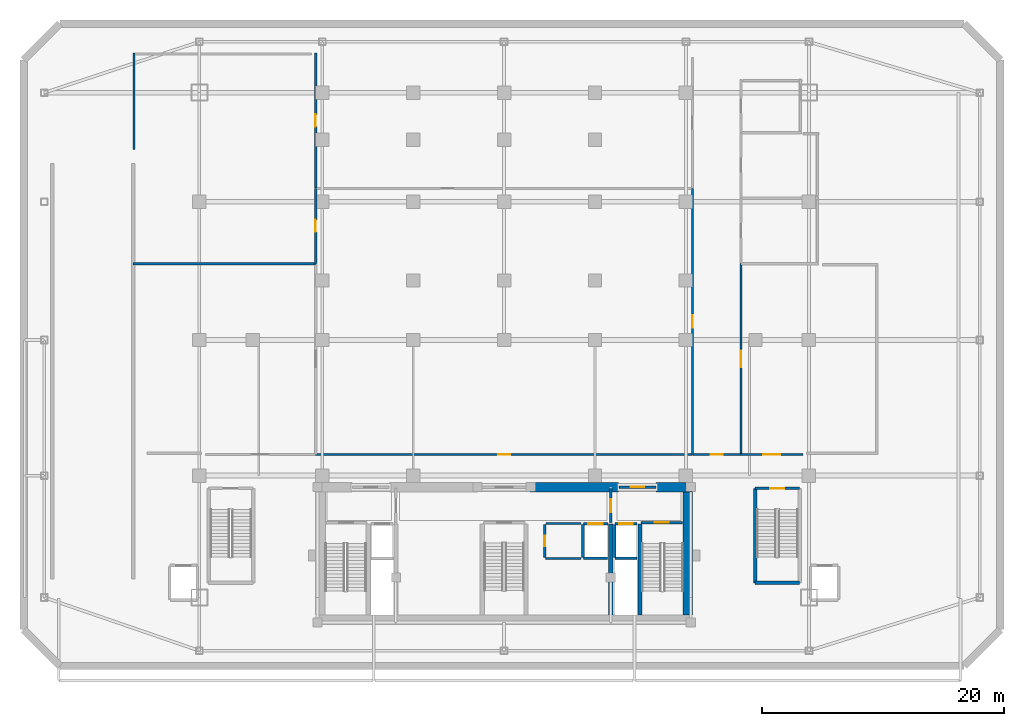
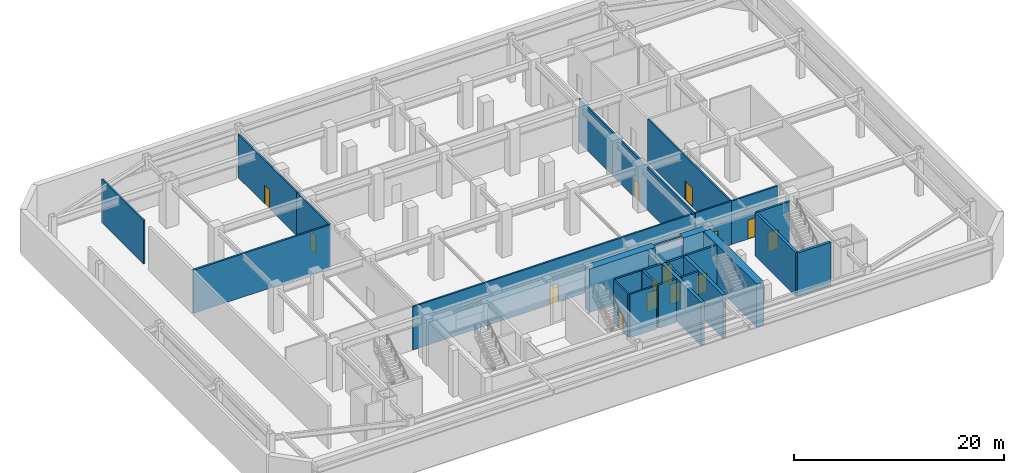
# One storey, part 5 of 9: 29 walls, 14 doors, 14 openings.
"""IFC4 building model written with IfcOpenShell, lengths in metres."""

import ifcopenshell
import ifcopenshell.guid

model = None  # the IFC model being written
_history = None  # IfcOwnerHistory: only IFC2X3 demands one
_inside = {}  # id of a spatial element -> (the spatial element, [elements in it])
_under = {}  # id of a project, library or spatial element -> (it, [spatial elements below it])
_declared = {}  # id of a project -> (the project, [libraries it declares])
_typed = {}  # id of a type object -> (the type object, [elements of that type])
_made_of = {}  # id of a material, layer set ... -> (it, [elements and type objects made of it])


def new_model(schema):
    """Start an empty IFC model of exactly this schema.

    Asked for "IFC4X3", IfcOpenShell would pick the latest addendum, in which some entities
    have other attributes; the version numbers below select the first issue.
    IFC2X3 requires an IfcOwnerHistory on every rooted entity: one is made here for all.
    """
    global model, _history
    if schema == "IFC4X3":
        model = ifcopenshell.file(schema_version=(4, 3, 0, 0))
    else:
        model = ifcopenshell.file(schema=schema)
    _inside.clear()
    _under.clear()
    _declared.clear()
    _typed.clear()
    _made_of.clear()
    _history = None
    if model.schema == "IFC2X3":
        org = make("IfcOrganization", Name="unknown")
        user = make(
            "IfcPersonAndOrganization",
            ThePerson=make("IfcPerson", FamilyName="unknown"),
            TheOrganization=org,
        )
        app = make(
            "IfcApplication",
            ApplicationDeveloper=org,
            Version="unknown",
            ApplicationFullName="unknown",
            ApplicationIdentifier="unknown",
        )
        _history = make(
            "IfcOwnerHistory",
            OwningUser=user,
            OwningApplication=app,
            ChangeAction="ADDED",
            CreationDate=0,
        )
    return model


def make(cls, **values):
    """One entity of the class cls with the attributes given. An attribute that is None is left unset."""
    return model.create_entity(
        cls, **{name: value for name, value in values.items() if value is not None}
    )


def rooted(cls, **values):
    """An entity with a GlobalId (a new one), such as an element, a storey or a relation."""
    return make(cls, GlobalId=ifcopenshell.guid.new(), OwnerHistory=_history, **values)


def si_unit(unit_type, name, prefix=None):
    """IfcSIUnit, for example si_unit("LENGTHUNIT", "METRE", prefix="MILLI")."""
    return make("IfcSIUnit", UnitType=unit_type, Prefix=prefix, Name=name)


def assignment(units):
    """IfcUnitAssignment: the units of a project."""
    return None if units is None else make("IfcUnitAssignment", Units=units)


def point(xyz):
    """IfcCartesianPoint."""
    return None if xyz is None else make("IfcCartesianPoint", Coordinates=xyz)


def direction(xyz):
    """IfcDirection."""
    return None if xyz is None else make("IfcDirection", DirectionRatios=xyz)


def frame(location, z_axis=None, x_axis=None):
    """IfcAxis2Placement3D, a coordinate frame: its origin and axes. An axis left out is left unset."""
    return make(
        "IfcAxis2Placement3D",
        Location=point(location),
        Axis=direction(z_axis),
        RefDirection=direction(x_axis),
    )


def frame_2d(location, x_axis=None):
    """IfcAxis2Placement2D, a coordinate frame in the plane: its origin and x axis."""
    return make(
        "IfcAxis2Placement2D", Location=point(location), RefDirection=direction(x_axis)
    )


def origin():
    """The frame at (0, 0, 0) with its axes left unset."""
    return frame((0.0, 0.0, 0.0))


def place(relative_to, where):
    """IfcLocalPlacement: puts the frame where relative to a parent placement (None: the world)."""
    return make(
        "IfcLocalPlacement", PlacementRelTo=relative_to, RelativePlacement=where
    )


def context(
    kind, dimensions, precision=None, world=None, true_north=None, identifier=None
):
    """IfcGeometricRepresentationContext, for example the 3D "Model" context."""
    return make(
        "IfcGeometricRepresentationContext",
        ContextIdentifier=identifier,
        ContextType=kind,
        CoordinateSpaceDimension=dimensions,
        Precision=precision,
        WorldCoordinateSystem=world,
        TrueNorth=true_north,
    )


def subcontext(parent, identifier, kind, view, scale=None):
    """IfcGeometricRepresentationSubContext, for example "Body" below "Model"."""
    return make(
        "IfcGeometricRepresentationSubContext",
        ContextIdentifier=identifier,
        ContextType=kind,
        ParentContext=parent,
        TargetScale=scale,
        TargetView=view,
    )


def project(units=None, contexts=None):
    """IfcProject with its units and contexts."""
    return rooted(
        "IfcProject",
        Name="project",
        RepresentationContexts=contexts,
        UnitsInContext=assignment(units),
    )


def spatial(cls, under=None, at=None, **own):
    """A site, building, storey or space (cls), placed at a placement, below another one or the project."""
    s = rooted(cls, ObjectPlacement=at, **own)
    if under is not None:
        _under.setdefault(under.id(), (under, []))[1].append(s)
    return s


def profile(cls, at=None, kind="AREA", **sizes):
    """A parametric profile (cls). Its sizes go by their IFC names, for example OverallWidth=200.0."""
    return make(cls, ProfileType=kind, Position=at, **sizes)


def rectangle(**sizes):
    """IfcRectangleProfileDef."""
    return profile("IfcRectangleProfileDef", **sizes)


def extrude(swept, where, along, depth):
    """IfcExtrudedAreaSolid: the profile swept, set in the frame where, extruded along a direction by depth."""
    return make(
        "IfcExtrudedAreaSolid",
        SweptArea=swept,
        Position=where,
        ExtrudedDirection=direction(along),
        Depth=depth,
    )


def shape(context_of_items, identifier, shape_type, items):
    """IfcShapeRepresentation: the items that make up one representation, for example the "Body"."""
    return make(
        "IfcShapeRepresentation",
        ContextOfItems=context_of_items,
        RepresentationIdentifier=identifier,
        RepresentationType=shape_type,
        Items=items,
    )


def material(Name=None, Category=None):
    """IfcMaterial."""
    return make("IfcMaterial", Name=Name, Category=Category)


def layer(
    of_material, thickness, ventilated=None, Name=None, Category=None, Priority=None
):
    """IfcMaterialLayer: one layer of a wall or slab, of a material (None: an air gap)."""
    return make(
        "IfcMaterialLayer",
        Material=of_material,
        LayerThickness=thickness,
        IsVentilated=ventilated,
        Name=Name,
        Category=Category,
        Priority=Priority,
    )


def layer_set(layers, Name=None):
    """IfcMaterialLayerSet."""
    return make("IfcMaterialLayerSet", MaterialLayers=layers, LayerSetName=Name)


def made_of(thing, what):
    """Note that an element or type object is made of a material, layer set ...; save() writes the relation."""
    if what is not None:
        _made_of.setdefault(what.id(), (what, []))[1].append(thing)
    return thing


def type_object(cls, material=None, **own):
    """A type object (cls), such as IfcWallType, which elements share."""
    return made_of(rooted(cls, **own), material)


def element(
    cls,
    number,
    at=None,
    inside=None,
    cuts=None,
    type_object=None,
    material=None,
    context=None,
    identifier="Body",
    shape_type=None,
    held_by="IfcProductDefinitionShape",
    body=None,
    shapes=None,
    **own,
):
    """One element of the class cls, such as IfcWall. Its Tag is "e" and its number.

    at: its placement. inside: the storey or other place that contains it. cuts: it is an
    opening in that element (IfcRelVoidsElement). A single representation is given by context,
    identifier, shape_type and body (its items); several are given by shapes. held_by: the class
    of the entity that holds the representations. save() writes the other relations.
    """
    e = rooted(cls, Tag="e%d" % number, ObjectPlacement=at, **own)
    if body is not None:
        shapes = [shape(context, identifier, shape_type, body)]
    if shapes is not None:
        e.Representation = make(held_by, Representations=shapes)
    if inside is not None:
        _inside.setdefault(inside.id(), (inside, []))[1].append(e)
    if cuts is not None:
        rooted(
            "IfcRelVoidsElement", RelatingBuildingElement=cuts, RelatedOpeningElement=e
        )
    if type_object is not None:
        _typed.setdefault(type_object.id(), (type_object, []))[1].append(e)
    return made_of(e, material)


def fill(opening, filler):
    """IfcRelFillsElement: the door or window that sits in an opening."""
    return rooted(
        "IfcRelFillsElement",
        RelatingOpeningElement=opening,
        RelatedBuildingElement=filler,
    )


def aggregate(whole, parts):
    """IfcRelAggregates: a whole, such as a stair, and the parts it consists of."""
    return rooted("IfcRelAggregates", RelatingObject=whole, RelatedObjects=parts)


def save(model, path):
    """Write the relations noted so far, then the file.

    IfcRelAggregates (storeys below a building ...), IfcRelContainedInSpatialStructure (elements
    in a storey), IfcRelDefinesByType, IfcRelAssociatesMaterial and IfcRelDeclares: one each for
    every whole, place, type object, material and project.
    """
    for whole, parts in _under.values():
        aggregate(whole, parts)
    for where, things in _inside.values():
        rooted(
            "IfcRelContainedInSpatialStructure",
            RelatedElements=things,
            RelatingStructure=where,
        )
    for kind, things in _typed.values():
        rooted("IfcRelDefinesByType", RelatedObjects=things, RelatingType=kind)
    for what, things in _made_of.values():
        rooted("IfcRelAssociatesMaterial", RelatedObjects=things, RelatingMaterial=what)
    for by, libraries in _declared.values():
        rooted("IfcRelDeclares", RelatingContext=by, RelatedDefinitions=libraries)
    model.write(path)


model = new_model("IFC4")

# Units and contexts
model_context = context("Model", 3, precision=1e-05, world=origin(), true_north=direction((0.0, 1.0)))
body_context = subcontext(model_context, "Body", "Model", "MODEL_VIEW")
ifc_project = project(units=[si_unit("LENGTHUNIT", "METRE"), si_unit("AREAUNIT", "SQUARE_METRE"), si_unit("VOLUMEUNIT", "CUBIC_METRE"), si_unit("PLANEANGLEUNIT", "RADIAN"), si_unit("MASSUNIT", "GRAM", prefix="KILO")], contexts=[model_context])

# Site, building, storey
site_placement = place(None, origin())
site = spatial("IfcSite", under=ifc_project, at=site_placement, CompositionType="ELEMENT")
building_placement = place(site_placement, origin())
building = spatial("IfcBuilding", under=site, at=building_placement, Name="Ventersveld Concourse Tower", CompositionType="ELEMENT")
storey_placement = place(building_placement, frame((0.0, 0.0, -5.39990234375)))
storey = spatial("IfcBuildingStorey", under=building, at=storey_placement, Name="B01", CompositionType="ELEMENT", Elevation=-5.39990234375)

# Walls
ifc_material_1 = material(Name="Concrete C60/75", Category="concrete")
ifc_layer_1 = layer(ifc_material_1, 0.35009765625)
ifc_layer_set_1 = layer_set([ifc_layer_1], Name="Concrete C60/75")
wall_type_1 = type_object("IfcWallType", Name="WL-CORE-350L", PredefinedType="SHEAR", material=ifc_layer_set_1)
for number, where, z_axis, x_axis, name in (
    (1, (37.550048828125, 0.919921875, 0.0), (0.0, 0.0, 1.0), (0.0, 1.0, 0.0), "B01 Core Internal Shear Web W-SVL-W"),
    (2, (39.9599609375, 0.919921875, 0.0), (0.0, 0.0, 1.0), (0.0, 1.0, 0.0), "B01 Core Internal Shear Web W-ST2-W"),
):
    element("IfcWall", number, at=place(storey_placement, frame(where, z_axis=z_axis, x_axis=x_axis)), inside=storey, type_object=wall_type_1, Name=name, PredefinedType="SHEAR", context=body_context, shape_type="SweptSolid", body=[
        extrude(rectangle(XDim=7.5, YDim=0.35009765625, at=frame_2d((3.75, 0.0))), origin(), (0.0, 0.0, 1.0), 5.0498046875),
    ])
ifc_layer_2 = layer(ifc_material_1, 0.800048828125)
ifc_layer_set_2 = layer_set([ifc_layer_2], Name="Concrete C60/75")
wall_type_2 = type_object("IfcWallType", Name="WL-CORE-800", PredefinedType="SHEAR", material=ifc_layer_set_2)
wall_1_placement = place(storey_placement, frame((43.89990234375, 0.919921875, 0.0), z_axis=(0.0, 0.0, 1.0), x_axis=(0.0, 1.0, 0.0)))
element("IfcWall", 3, at=wall_1_placement, inside=storey, type_object=wall_type_2, Name="B01 Rear Core East Shear Wall", PredefinedType="SHEAR", context=body_context, shape_type="SweptSolid", body=[
    extrude(rectangle(XDim=10.530029296875, YDim=0.800048828125, at=frame_2d((5.26513671875, 0.0))), origin(), (0.0, 0.0, 1.0), 5.0498046875),
])
wall_2_placement = place(storey_placement, frame((30.89990234375, 11.449951171875, 0.0), z_axis=(0.0, 0.0, 1.0), x_axis=(1.0, 0.0, 0.0)))
element("IfcWall", 4, at=wall_2_placement, inside=storey, type_object=wall_type_2, Name="B01 Rear Core North Shear Wall NMR", PredefinedType="SHEAR", context=body_context, shape_type="SweptSolid", body=[
    extrude(rectangle(XDim=7.300048828125, YDim=0.800048828125, at=frame_2d((3.64990234375, 0.0))), origin(), (0.0, 0.0, 1.0), 5.0498046875),
])
wall_3_placement = place(storey_placement, frame((41.300048828125, 11.449951171875, 0.0), z_axis=(0.0, 0.0, 1.0), x_axis=(1.0, 0.0, 0.0)))
element("IfcWall", 5, at=wall_3_placement, inside=storey, type_object=wall_type_2, Name="B01 Rear Core North Shear Wall NE", PredefinedType="SHEAR", context=body_context, shape_type="SweptSolid", body=[
    extrude(rectangle(XDim=2.949951171875, YDim=0.800048828125, at=frame_2d((1.47509765625, 0.0))), origin(), (0.0, 0.0, 1.0), 5.0498046875),
])

# Wall, opening, door
ifc_material_2 = material(Name="Fire-rated autoclaved aerated masonry blockwork", Category="masonry")
ifc_layer_3 = layer(ifc_material_2, 0.179931640625)
ifc_layer_set_3 = layer_set([ifc_layer_3], Name="Fire-rated autoclaved aerated masonry blockwork")
wall_type_3 = type_object("IfcWallType", Name="WL-CORR-180", PredefinedType="PARTITIONING", material=ifc_layer_set_3)
wall_4_placement = place(storey_placement, frame((32.10009765625, 5.64990234375, 0.0), z_axis=(0.0, 0.0, 1.0), x_axis=(0.0, 1.0, 0.0)))
wall_4 = element("IfcWall", 6, at=wall_4_placement, inside=storey, type_object=wall_type_3, Name="B01 Core Passage Wall SP-B01-CBAY1", PredefinedType="PARTITIONING", context=body_context, shape_type="SweptSolid", body=[
    extrude(rectangle(XDim=2.72998046875, YDim=0.179931640625, at=frame_2d((1.364990234375, 0.0))), origin(), (0.0, 0.0, 1.0), 5.0498046875),
])
opening_1_placement = place(wall_4_placement, frame((0.925048828125, 0.0, 0.0)))
opening_1 = element("IfcOpeningElement", 7, at=opening_1_placement, cuts=wall_4, Name="Opening FD5", PredefinedType="OPENING", context=body_context, shape_type="SweptSolid", body=[
    extrude(rectangle(XDim=0.8798828125, YDim=2.050048828125, at=frame_2d((0.43994140625, 1.02490234375))), frame((0.0, 0.10009765625, 0.0), z_axis=(0.0, -1.0, 0.0), x_axis=(1.0, 0.0, 0.0)), (0.0, 0.0, 1.0), 0.199951171875),
])
ifc_material_3 = material(Name="Galvanised painted steel", Category="steel")
door_type_1 = type_object("IfcDoorType", Name="DR-RISER-088", OperationType="NOTDEFINED", PredefinedType="DOOR", material=ifc_material_3)
door_1_placement = place(opening_1_placement, origin())
door_1 = element("IfcDoor", 8, at=door_1_placement, inside=storey, type_object=door_type_1, Name="B01 Core Room Door B01 Core Housekeeping Linen Store (CD-B01-0034)", OperationType="SINGLE_SWING_LEFT", OverallHeight=2.050048828125, OverallWidth=0.8798828125, PredefinedType="DOOR", context=body_context, shape_type="SweptSolid", body=[
    extrude(rectangle(XDim=0.8798828125, YDim=2.050048828125, at=frame_2d((0.43994140625, 1.02490234375))), frame((0.0, 0.02490234375, 0.0), z_axis=(0.0, -1.0, 0.0), x_axis=(1.0, 0.0, 0.0)), (0.0, 0.0, 1.0), 0.050048828125),
])
fill(opening_1, door_1)

# Walls
wall_5_placement = place(storey_placement, frame((32.219970703125, 8.4599609375, 0.0), z_axis=(0.0, 0.0, 1.0), x_axis=(1.0, 0.0, 0.0)))
element("IfcWall", 9, at=wall_5_placement, inside=storey, type_object=wall_type_3, Name="B01 Core Top Wall SP-B01-CBAY1", PredefinedType="PARTITIONING", context=body_context, shape_type="SweptSolid", body=[
    extrude(rectangle(XDim=2.880126953125, YDim=0.179931640625, at=frame_2d((1.43994140625, 0.0))), origin(), (0.0, 0.0, 1.0), 5.0498046875),
])
wall_6_placement = place(storey_placement, frame((32.179931640625, 5.570068359375, 0.0), z_axis=(0.0, 0.0, 1.0), x_axis=(1.0, 0.0, 0.0)))
element("IfcWall", 10, at=wall_6_placement, inside=storey, type_object=wall_type_3, Name="B01 Core Bot Wall SP-B01-CBAY1", PredefinedType="PARTITIONING", context=body_context, shape_type="SweptSolid", body=[
    extrude(rectangle(XDim=2.920166015625, YDim=0.179931640625, at=frame_2d((1.4599609375, 0.0))), origin(), (0.0, 0.0, 1.0), 5.0498046875),
])

# Wall, opening, door
wall_7_placement = place(storey_placement, frame((13.205078125, 14.14990234375, 0.0), z_axis=(0.0, 0.0, 1.0), x_axis=(1.0, 0.0, 0.0)))
wall_7 = element("IfcWall", 11, at=wall_7_placement, inside=storey, type_object=wall_type_3, Name="B01 Interior Partition SP-B01-ECOR-SP-B01-FARE", PredefinedType="PARTITIONING", context=body_context, shape_type="SweptSolid", body=[
    extrude(rectangle(XDim=31.08984375, YDim=0.179931640625, at=frame_2d((15.544921875, 0.0))), origin(), (0.0, 0.0, 1.0), 5.0498046875),
])
opening_2_placement = place(wall_7_placement, frame((15.044921875, 0.0, 0.0)))
opening_2 = element("IfcOpeningElement", 12, at=opening_2_placement, cuts=wall_7, Name="Opening FD3", PredefinedType="OPENING", context=body_context, shape_type="SweptSolid", body=[
    extrude(rectangle(XDim=1.0, YDim=2.14990234375, at=frame_2d((0.5, 1.074951171875))), frame((0.0, 0.10009765625, 0.0), z_axis=(0.0, -1.0, 0.0), x_axis=(1.0, 0.0, 0.0)), (0.0, 0.0, 1.0), 0.199951171875),
])
ifc_material_4 = material(Name="Solid-core hardwood veneer timber", Category="wood")
door_type_2 = type_object("IfcDoorType", Name="DR-FLAT-100", OperationType="NOTDEFINED", PredefinedType="DOOR", material=ifc_material_4)
door_2_placement = place(opening_2_placement, origin())
door_2 = element("IfcDoor", 13, at=door_2_placement, inside=storey, type_object=door_type_2, Name="B01 Interior Door SP-B01-ECOR to SP-B01-FARE (D-B01-0035)", OperationType="SINGLE_SWING_LEFT", OverallHeight=2.14990234375, OverallWidth=1.0, PredefinedType="DOOR", context=body_context, shape_type="SweptSolid", body=[
    extrude(rectangle(XDim=1.0, YDim=2.14990234375, at=frame_2d((0.5, 1.074951171875))), frame((0.0, 0.02490234375, 0.0), z_axis=(0.0, -1.0, 0.0), x_axis=(1.0, 0.0, 0.0)), (0.0, 0.0, 1.0), 0.050048828125),
])
fill(opening_2, door_2)

wall_8_placement = place(storey_placement, frame((48.304931640625, 14.14990234375, 0.0), z_axis=(0.0, 0.0, 1.0), x_axis=(1.0, 0.0, 0.0)))
wall_8 = element("IfcWall", 14, at=wall_8_placement, inside=storey, type_object=wall_type_3, Name="B01 Interior Partition SP-B01-ECOR-SP-B01-GEN", PredefinedType="PARTITIONING", context=body_context, shape_type="SweptSolid", body=[
    extrude(rectangle(XDim=5.090087890625, YDim=0.179931640625, at=frame_2d((2.544921875, 0.0))), origin(), (0.0, 0.0, 1.0), 5.0498046875),
])
opening_3_placement = place(wall_8_placement, frame((1.844970703125, 0.0, 0.0)))
opening_3 = element("IfcOpeningElement", 15, at=opening_3_placement, cuts=wall_8, Name="Opening FD4", PredefinedType="OPENING", context=body_context, shape_type="SweptSolid", body=[
    extrude(rectangle(XDim=1.39990234375, YDim=2.199951171875, at=frame_2d((0.699951171875, 1.10009765625))), frame((0.0, 0.10009765625, 0.0), z_axis=(0.0, -1.0, 0.0), x_axis=(1.0, 0.0, 0.0)), (0.0, 0.0, 1.0), 0.199951171875),
])
door_type_3 = type_object("IfcDoorType", Name="DR-PLANT-140", OperationType="DOUBLE_DOOR_SINGLE_SWING", PredefinedType="DOOR", material=ifc_material_3)
door_3_placement = place(opening_3_placement, origin())
door_3 = element("IfcDoor", 16, at=door_3_placement, inside=storey, type_object=door_type_3, Name="B01 Interior Door SP-B01-ECOR to SP-B01-GEN (FD-B01-0037)", OperationType="DOUBLE_DOOR_SINGLE_SWING", OverallHeight=2.199951171875, OverallWidth=1.39990234375, PredefinedType="DOOR", context=body_context, shape_type="SweptSolid", body=[
    extrude(rectangle(XDim=1.39990234375, YDim=2.199951171875, at=frame_2d((0.699951171875, 1.10009765625))), frame((0.0, 0.02490234375, 0.0), z_axis=(0.0, -1.0, 0.0), x_axis=(1.0, 0.0, 0.0)), (0.0, 0.0, 1.0), 0.050048828125),
])
fill(opening_3, door_3)

wall_9_placement = place(storey_placement, frame((44.3232421875, 14.139892578125, 0.0), z_axis=(0.0, 0.0, 1.0), x_axis=(1.0, 0.0, 0.0)))
wall_9 = element("IfcWall", 17, at=wall_9_placement, inside=storey, type_object=wall_type_3, Name="B01 Interior Partition SP-B01-ECOR-SP-B01-WCLOB", PredefinedType="PARTITIONING", context=body_context, shape_type="SweptSolid", body=[
    extrude(rectangle(XDim=3.95361328125, YDim=0.179931640625, at=frame_2d((1.976806640625, 0.0))), origin(), (0.0, 0.0, 1.0), 5.0498046875),
])
opening_4_placement = place(wall_9_placement, frame((1.476806640625, 0.0, 0.0)))
opening_4 = element("IfcOpeningElement", 18, at=opening_4_placement, cuts=wall_9, Name="Opening FD3", PredefinedType="OPENING", context=body_context, shape_type="SweptSolid", body=[
    extrude(rectangle(XDim=1.0, YDim=2.14990234375, at=frame_2d((0.5, 1.074951171875))), frame((0.0, 0.10009765625, 0.0), z_axis=(0.0, -1.0, 0.0), x_axis=(1.0, 0.0, 0.0)), (0.0, 0.0, 1.0), 0.199951171875),
])
door_4_placement = place(opening_4_placement, origin())
door_4 = element("IfcDoor", 19, at=door_4_placement, inside=storey, type_object=door_type_2, Name="B01 Interior Door SP-B01-ECOR to SP-B01-WCLOB (D-B01-0038)", OperationType="SINGLE_SWING_RIGHT", OverallHeight=2.14990234375, OverallWidth=1.0, PredefinedType="DOOR", context=body_context, shape_type="SweptSolid", body=[
    extrude(rectangle(XDim=1.0, YDim=2.14990234375, at=frame_2d((0.5, 1.074951171875))), frame((0.0, 0.02490234375, 0.0), z_axis=(0.0, -1.0, 0.0), x_axis=(1.0, 0.0, 0.0)), (0.0, 0.0, 1.0), 0.050048828125),
])
fill(opening_4, door_4)

wall_10_placement = place(storey_placement, frame((13.199951171875, 29.925048828125, 0.0), z_axis=(0.0, 0.0, 1.0), x_axis=(0.0, 1.0, 0.0)))
wall_10 = element("IfcWall", 20, at=wall_10_placement, inside=storey, type_object=wall_type_3, Name="B01 Interior Partition SP-B01-FARE-SP-B01-RET1", PredefinedType="PARTITIONING", context=body_context, shape_type="SweptSolid", body=[
    extrude(rectangle(XDim=6.169921875, YDim=0.179931640625, at=frame_2d((3.0849609375, 0.0))), origin(), (0.0, 0.0, 1.0), 5.0498046875),
])
opening_5_placement = place(wall_10_placement, frame((2.5849609375, 0.0, 0.0)))
opening_5 = element("IfcOpeningElement", 21, at=opening_5_placement, cuts=wall_10, Name="Opening FD3", PredefinedType="OPENING", context=body_context, shape_type="SweptSolid", body=[
    extrude(rectangle(XDim=1.0, YDim=2.14990234375, at=frame_2d((0.5, 1.074951171875))), frame((0.0, 0.10009765625, 0.0), z_axis=(0.0, -1.0, 0.0), x_axis=(1.0, 0.0, 0.0)), (0.0, 0.0, 1.0), 0.199951171875),
])
door_5_placement = place(opening_5_placement, origin())
door_5 = element("IfcDoor", 22, at=door_5_placement, inside=storey, type_object=door_type_2, Name="B01 Interior Door SP-B01-FARE to SP-B01-RET1 (D-B01-0041)", OperationType="SINGLE_SWING_LEFT", OverallHeight=2.14990234375, OverallWidth=1.0, PredefinedType="DOOR", context=body_context, shape_type="SweptSolid", body=[
    extrude(rectangle(XDim=1.0, YDim=2.14990234375, at=frame_2d((0.5, 1.074951171875))), frame((0.0, 0.02490234375, 0.0), z_axis=(0.0, -1.0, 0.0), x_axis=(1.0, 0.0, 0.0)), (0.0, 0.0, 1.0), 0.050048828125),
])
fill(opening_5, door_5)

wall_11_placement = place(storey_placement, frame((44.300048828125, 14.155029296875, 0.0), z_axis=(0.0, 0.0, 1.0), x_axis=(0.0, 1.0, 0.0)))
wall_11 = element("IfcWall", 23, at=wall_11_placement, inside=storey, type_object=wall_type_3, Name="B01 Interior Partition SP-B01-FARE-SP-B01-WCLOB", PredefinedType="PARTITIONING", context=body_context, shape_type="SweptSolid", body=[
    extrude(rectangle(XDim=21.93994140625, YDim=0.179931640625, at=frame_2d((10.969970703125, 0.0))), origin(), (0.0, 0.0, 1.0), 5.0498046875),
])
opening_6_placement = place(wall_11_placement, frame((10.469970703125, 0.0, 0.0)))
opening_6 = element("IfcOpeningElement", 24, at=opening_6_placement, cuts=wall_11, Name="Opening FD3", PredefinedType="OPENING", context=body_context, shape_type="SweptSolid", body=[
    extrude(rectangle(XDim=1.0, YDim=2.14990234375, at=frame_2d((0.5, 1.074951171875))), frame((0.0, 0.10009765625, 0.0), z_axis=(0.0, -1.0, 0.0), x_axis=(1.0, 0.0, 0.0)), (0.0, 0.0, 1.0), 0.199951171875),
])
door_6_placement = place(opening_6_placement, origin())
door_6 = element("IfcDoor", 25, at=door_6_placement, inside=storey, type_object=door_type_2, Name="B01 Interior Door SP-B01-FARE to SP-B01-WCLOB (D-B01-0042)", OperationType="SINGLE_SWING_RIGHT", OverallHeight=2.14990234375, OverallWidth=1.0, PredefinedType="DOOR", context=body_context, shape_type="SweptSolid", body=[
    extrude(rectangle(XDim=1.0, YDim=2.14990234375, at=frame_2d((0.5, 1.074951171875))), frame((0.0, 0.02490234375, 0.0), z_axis=(0.0, -1.0, 0.0), x_axis=(1.0, 0.0, 0.0)), (0.0, 0.0, 1.0), 0.050048828125),
])
fill(opening_6, door_6)

wall_12_placement = place(storey_placement, frame((13.199951171875, 36.125, 0.0), z_axis=(0.0, 0.0, 1.0), x_axis=(0.0, 1.0, 0.0)))
wall_12 = element("IfcWall", 26, at=wall_12_placement, inside=storey, type_object=wall_type_3, Name="B01 Interior Partition SP-B01-TICK-SP-B01-RET1", PredefinedType="PARTITIONING", context=body_context, shape_type="SweptSolid", body=[
    extrude(rectangle(XDim=11.169921875, YDim=0.179931640625, at=frame_2d((5.5849609375, 0.0))), origin(), (0.0, 0.0, 1.0), 5.0498046875),
])
opening_7_placement = place(wall_12_placement, frame((5.0849609375, 0.0, 0.0)))
opening_7 = element("IfcOpeningElement", 27, at=opening_7_placement, cuts=wall_12, Name="Opening FD3", PredefinedType="OPENING", context=body_context, shape_type="SweptSolid", body=[
    extrude(rectangle(XDim=1.0, YDim=2.14990234375, at=frame_2d((0.5, 1.074951171875))), frame((0.0, 0.10009765625, 0.0), z_axis=(0.0, -1.0, 0.0), x_axis=(1.0, 0.0, 0.0)), (0.0, 0.0, 1.0), 0.199951171875),
])
door_7_placement = place(opening_7_placement, origin())
door_7 = element("IfcDoor", 28, at=door_7_placement, inside=storey, type_object=door_type_2, Name="B01 Interior Door SP-B01-TICK to SP-B01-RET1 (D-B01-0043)", OperationType="SINGLE_SWING_LEFT", OverallHeight=2.14990234375, OverallWidth=1.0, PredefinedType="DOOR", context=body_context, shape_type="SweptSolid", body=[
    extrude(rectangle(XDim=1.0, YDim=2.14990234375, at=frame_2d((0.5, 1.074951171875))), frame((0.0, 0.02490234375, 0.0), z_axis=(0.0, -1.0, 0.0), x_axis=(1.0, 0.0, 0.0)), (0.0, 0.0, 1.0), 0.050048828125),
])
fill(opening_7, door_7)

wall_13_placement = place(storey_placement, frame((48.300048828125, 14.155029296875, 0.0), z_axis=(0.0, 0.0, 1.0), x_axis=(0.0, 1.0, 0.0)))
wall_13 = element("IfcWall", 29, at=wall_13_placement, inside=storey, type_object=wall_type_3, Name="B01 Interior Partition SP-B01-GEN-SP-B01-WCLOB", PredefinedType="PARTITIONING", context=body_context, shape_type="SweptSolid", body=[
    extrude(rectangle(XDim=15.739990234375, YDim=0.179931640625, at=frame_2d((7.8701171875, 0.0))), origin(), (0.0, 0.0, 1.0), 5.0498046875),
])
opening_8_placement = place(wall_13_placement, frame((7.169921875, 0.0, 0.0)))
opening_8 = element("IfcOpeningElement", 30, at=opening_8_placement, cuts=wall_13, Name="Opening FD4", PredefinedType="OPENING", context=body_context, shape_type="SweptSolid", body=[
    extrude(rectangle(XDim=1.39990234375, YDim=2.199951171875, at=frame_2d((0.699951171875, 1.10009765625))), frame((0.0, 0.10009765625, 0.0), z_axis=(0.0, -1.0, 0.0), x_axis=(1.0, 0.0, 0.0)), (0.0, 0.0, 1.0), 0.199951171875),
])
door_8_placement = place(opening_8_placement, origin())
door_8 = element("IfcDoor", 31, at=door_8_placement, inside=storey, type_object=door_type_3, Name="B01 Interior Door SP-B01-GEN to SP-B01-WCLOB (FD-B01-0045)", OperationType="DOUBLE_DOOR_SINGLE_SWING", OverallHeight=2.199951171875, OverallWidth=1.39990234375, PredefinedType="DOOR", context=body_context, shape_type="SweptSolid", body=[
    extrude(rectangle(XDim=1.39990234375, YDim=2.199951171875, at=frame_2d((0.699951171875, 1.10009765625))), frame((0.0, 0.02490234375, 0.0), z_axis=(0.0, -1.0, 0.0), x_axis=(1.0, 0.0, 0.0)), (0.0, 0.0, 1.0), 0.050048828125),
])
fill(opening_8, door_8)

# Walls
wall_14_placement = place(storey_placement, frame((-1.800048828125, 47.294921875, 0.0), z_axis=(0.0, 0.0, 1.0), x_axis=(0.0, -1.0, 0.0)))
element("IfcWall", 32, at=wall_14_placement, inside=storey, type_object=wall_type_3, Name="B01 Room Enclosure Wall SP-B01-RET1", PredefinedType="PARTITIONING", context=body_context, shape_type="SweptSolid", body=[
    extrude(rectangle(XDim=7.992919921875, YDim=0.179931640625, at=frame_2d((3.99658203125, 0.0))), origin(), (0.0, 0.0, 1.0), 5.0498046875),
])
ifc_layer_4 = layer(ifc_material_2, 0.199951171875)
ifc_layer_set_4 = layer_set([ifc_layer_4], Name="Fire-rated autoclaved aerated masonry blockwork")
wall_type_4 = type_object("IfcWallType", Name="WL-DEMISE-200", PredefinedType="PARTITIONING", material=ifc_layer_set_4)
wall_15_placement = place(storey_placement, frame((-1.89501953125, 29.89990234375, 0.0), z_axis=(0.0, 0.0, 1.0), x_axis=(1.0, 0.0, 0.0)))
element("IfcWall", 33, at=wall_15_placement, inside=storey, type_object=wall_type_4, Name="B01 Interior Partition SP-B01-SUB-SP-B01-RET1", PredefinedType="PARTITIONING", context=body_context, shape_type="SweptSolid", body=[
    extrude(rectangle(XDim=15.090087890625, YDim=0.199951171875, at=frame_2d((7.544921875, 0.0))), origin(), (0.0, 0.0, 1.0), 5.0498046875),
])
ifc_layer_5 = layer(ifc_material_2, 0.219970703125)
ifc_layer_set_5 = layer_set([ifc_layer_5], Name="Fire-rated autoclaved aerated masonry blockwork")
wall_type_5 = type_object("IfcWallType", Name="WL-HOIST-220", PredefinedType="SOLIDWALL", material=ifc_layer_set_5)
wall_16_placement = place(storey_placement, frame((37.919921875, 5.590087890625, 0.0), z_axis=(0.0, 0.0, 1.0), x_axis=(1.0, 0.0, 0.0)))
element("IfcWall", 34, at=wall_16_placement, inside=storey, type_object=wall_type_5, Name="B01 Lift Hoistway Back Wall FFL-02", PredefinedType="SOLIDWALL", context=body_context, shape_type="SweptSolid", body=[
    extrude(rectangle(XDim=1.780029296875, YDim=0.219970703125, at=frame_2d((0.89013671875, 0.0))), origin(), (0.0, 0.0, 1.0), 5.0498046875),
])
wall_17_placement = place(storey_placement, frame((37.8798828125, 5.64990234375, 0.0), z_axis=(0.0, 0.0, 1.0), x_axis=(0.0, 1.0, 0.0)))
element("IfcWall", 35, at=wall_17_placement, inside=storey, type_object=wall_type_5, Name="B01 Lift Hoistway Side Wall FFL-02W", PredefinedType="SOLIDWALL", context=body_context, shape_type="SweptSolid", body=[
    extrude(rectangle(XDim=2.7001953125, YDim=0.219970703125, at=frame_2d((1.35009765625, 0.0))), origin(), (0.0, 0.0, 1.0), 5.0498046875),
])

# Wall, opening, door
wall_18_placement = place(storey_placement, frame((37.89990234375, 8.429931640625, 0.0), z_axis=(0.0, 0.0, 1.0), x_axis=(1.0, 0.0, 0.0)))
wall_18 = element("IfcWall", 36, at=wall_18_placement, inside=storey, type_object=wall_type_5, Name="B01 Lift Hoistway Front Wall FFL-02", PredefinedType="SOLIDWALL", context=body_context, shape_type="SweptSolid", body=[
    extrude(rectangle(XDim=1.820068359375, YDim=0.219970703125, at=frame_2d((0.91015625, 0.0))), origin(), (0.0, 0.0, 1.0), 5.0498046875),
])
opening_9_placement = place(wall_18_placement, frame((0.35009765625, 0.0, 0.0)))
opening_9 = element("IfcOpeningElement", 37, at=opening_9_placement, cuts=wall_18, Name="Opening LD1", PredefinedType="OPENING", context=body_context, shape_type="SweptSolid", body=[
    extrude(rectangle(XDim=1.1201171875, YDim=2.25, at=frame_2d((0.56005859375, 1.125))), frame((0.0, 0.1201171875, 0.0), z_axis=(0.0, -1.0, 0.0), x_axis=(1.0, 0.0, 0.0)), (0.0, 0.0, 1.0), 0.239990234375),
])
ifc_material_5 = material(Name="Brushed stainless steel 316", Category="steel")
door_type_4 = type_object("IfcDoorType", Name="LD-FF-112", OperationType="SLIDING_TO_LEFT", PredefinedType="DOOR", material=ifc_material_5)
door_9_placement = place(opening_9_placement, origin())
door_9 = element("IfcDoor", 38, at=door_9_placement, inside=storey, type_object=door_type_4, Name="B01 Lift landing door FFL-02 (LD-B01-FFL-02)", OperationType="SLIDING_TO_LEFT", OverallHeight=2.25, OverallWidth=1.1201171875, PredefinedType="DOOR", context=body_context, shape_type="SweptSolid", body=[
    extrude(rectangle(XDim=1.1201171875, YDim=2.25, at=frame_2d((0.56005859375, 1.125))), frame((0.0, 0.02490234375, 0.0), z_axis=(0.0, -1.0, 0.0), x_axis=(1.0, 0.0, 0.0)), (0.0, 0.0, 1.0), 0.050048828125),
])
fill(opening_9, door_9)

# Walls
wall_19_placement = place(storey_placement, frame((35.300048828125, 5.590087890625, 0.0), z_axis=(0.0, 0.0, 1.0), x_axis=(1.0, 0.0, 0.0)))
element("IfcWall", 39, at=wall_19_placement, inside=storey, type_object=wall_type_5, Name="B01 Lift Hoistway Back Wall SVL-01", PredefinedType="SOLIDWALL", context=body_context, shape_type="SweptSolid", body=[
    extrude(rectangle(XDim=2.0, YDim=0.219970703125, at=frame_2d((1.0, 0.0))), origin(), (0.0, 0.0, 1.0), 5.0498046875),
])
wall_20_placement = place(storey_placement, frame((35.260009765625, 5.64990234375, 0.0), z_axis=(0.0, 0.0, 1.0), x_axis=(0.0, 1.0, 0.0)))
element("IfcWall", 40, at=wall_20_placement, inside=storey, type_object=wall_type_5, Name="B01 Lift Hoistway Side Wall SVL-01W", PredefinedType="SOLIDWALL", context=body_context, shape_type="SweptSolid", body=[
    extrude(rectangle(XDim=2.7001953125, YDim=0.219970703125, at=frame_2d((1.35009765625, 0.0))), origin(), (0.0, 0.0, 1.0), 5.0498046875),
])

# Wall, opening, door
wall_21_placement = place(storey_placement, frame((35.280029296875, 8.429931640625, 0.0), z_axis=(0.0, 0.0, 1.0), x_axis=(1.0, 0.0, 0.0)))
wall_21 = element("IfcWall", 41, at=wall_21_placement, inside=storey, type_object=wall_type_5, Name="B01 Lift Hoistway Front Wall SVL-01", PredefinedType="SOLIDWALL", context=body_context, shape_type="SweptSolid", body=[
    extrude(rectangle(XDim=2.0400390625, YDim=0.219970703125, at=frame_2d((1.02001953125, 0.0))), origin(), (0.0, 0.0, 1.0), 5.0498046875),
])
opening_10_placement = place(wall_21_placement, frame((0.429931640625, 0.0, 0.0)))
opening_10 = element("IfcOpeningElement", 42, at=opening_10_placement, cuts=wall_21, Name="Opening LD2", PredefinedType="OPENING", context=body_context, shape_type="SweptSolid", body=[
    extrude(rectangle(XDim=1.179931640625, YDim=2.199951171875, at=frame_2d((0.58984375, 1.10009765625))), frame((0.0, 0.1201171875, 0.0), z_axis=(0.0, -1.0, 0.0), x_axis=(1.0, 0.0, 0.0)), (0.0, 0.0, 1.0), 0.239990234375),
])
door_type_5 = type_object("IfcDoorType", Name="LD-PAX-118", OperationType="SLIDING_TO_LEFT", PredefinedType="DOOR", material=ifc_material_5)
door_10_placement = place(opening_10_placement, origin())
door_10 = element("IfcDoor", 43, at=door_10_placement, inside=storey, type_object=door_type_5, Name="B01 Lift landing door SVL-01 (LD-B01-SVL-01)", OperationType="SLIDING_TO_RIGHT", OverallHeight=2.199951171875, OverallWidth=1.179931640625, PredefinedType="DOOR", context=body_context, shape_type="SweptSolid", body=[
    extrude(rectangle(XDim=1.179931640625, YDim=2.199951171875, at=frame_2d((0.58984375, 1.10009765625))), frame((0.0, 0.02490234375, 0.0), z_axis=(0.0, -1.0, 0.0), x_axis=(1.0, 0.0, 0.0)), (0.0, 0.0, 1.0), 0.050048828125),
])
fill(opening_10, door_10)

wall_22_placement = place(storey_placement, frame((40.06005859375, 8.52001953125, 0.0), z_axis=(0.0, 0.0, 1.0), x_axis=(1.0, 0.0, 0.0)))
wall_22 = element("IfcWall", 44, at=wall_22_placement, inside=storey, type_object=wall_type_5, Name="B01 Escape Stair ST02 Fire Wall", PredefinedType="SOLIDWALL", context=body_context, shape_type="SweptSolid", body=[
    extrude(rectangle(XDim=3.39990234375, YDim=0.219970703125, at=frame_2d((1.699951171875, 0.0))), origin(), (0.0, 0.0, 1.0), 5.0498046875),
])
opening_11_placement = place(wall_22_placement, frame((1.125, 0.0, 0.0)))
opening_11 = element("IfcOpeningElement", 45, at=opening_11_placement, cuts=wall_22, Name="Opening FD1", PredefinedType="OPENING", context=body_context, shape_type="SweptSolid", body=[
    extrude(rectangle(XDim=1.14990234375, YDim=2.199951171875, at=frame_2d((0.574951171875, 1.10009765625))), frame((0.0, 0.1201171875, 0.0), z_axis=(0.0, -1.0, 0.0), x_axis=(1.0, 0.0, 0.0)), (0.0, 0.0, 1.0), 0.239990234375),
])
door_type_6 = type_object("IfcDoorType", Name="DR-STAIR-115", OperationType="NOTDEFINED", PredefinedType="DOOR", material=ifc_material_3)
door_11_placement = place(opening_11_placement, origin())
door_11 = element("IfcDoor", 46, at=door_11_placement, inside=storey, type_object=door_type_6, Name="B01 Escape Stair Door ST02 (SD-B01-0025)", OperationType="SINGLE_SWING_RIGHT", OverallHeight=2.199951171875, OverallWidth=1.14990234375, PredefinedType="DOOR", context=body_context, shape_type="SweptSolid", body=[
    extrude(rectangle(XDim=1.14990234375, YDim=2.199951171875, at=frame_2d((0.574951171875, 1.10009765625))), frame((0.0, 0.02490234375, 0.0), z_axis=(0.0, -1.0, 0.0), x_axis=(1.0, 0.0, 0.0)), (0.0, 0.0, 1.0), 0.050048828125),
])
fill(opening_11, door_11)

wall_23_placement = place(storey_placement, frame((49.4599609375, 11.35009765625, 0.0), z_axis=(0.0, 0.0, 1.0), x_axis=(1.0, 0.0, 0.0)))
wall_23 = element("IfcWall", 47, at=wall_23_placement, inside=storey, type_object=wall_type_5, Name="B01 Escape Stair ST05 Fire Wall", PredefinedType="SOLIDWALL", context=body_context, shape_type="SweptSolid", body=[
    extrude(rectangle(XDim=3.679931640625, YDim=0.219970703125, at=frame_2d((1.83984375, 0.0))), origin(), (0.0, 0.0, 1.0), 5.0498046875),
])
opening_12_placement = place(wall_23_placement, frame((1.264892578125, 0.0, 0.0)))
opening_12 = element("IfcOpeningElement", 48, at=opening_12_placement, cuts=wall_23, Name="Opening FD1", PredefinedType="OPENING", context=body_context, shape_type="SweptSolid", body=[
    extrude(rectangle(XDim=1.14990234375, YDim=2.199951171875, at=frame_2d((0.574951171875, 1.10009765625))), frame((0.0, 0.1201171875, 0.0), z_axis=(0.0, -1.0, 0.0), x_axis=(1.0, 0.0, 0.0)), (0.0, 0.0, 1.0), 0.239990234375),
])
door_12_placement = place(opening_12_placement, origin())
door_12 = element("IfcDoor", 49, at=door_12_placement, inside=storey, type_object=door_type_6, Name="B01 Escape Stair Door ST05 (SD-B01-0028)", OperationType="SINGLE_SWING_LEFT", OverallHeight=2.199951171875, OverallWidth=1.14990234375, PredefinedType="DOOR", context=body_context, shape_type="SweptSolid", body=[
    extrude(rectangle(XDim=1.14990234375, YDim=2.199951171875, at=frame_2d((0.574951171875, 1.10009765625))), frame((0.0, 0.02490234375, 0.0), z_axis=(0.0, -1.0, 0.0), x_axis=(1.0, 0.0, 0.0)), (0.0, 0.0, 1.0), 0.050048828125),
])
fill(opening_12, door_12)

wall_24_placement = place(storey_placement, frame((37.550048828125, 8.52001953125, 0.0), z_axis=(0.0, 0.0, 1.0), x_axis=(0.0, 1.0, 0.0)))
wall_24 = element("IfcWall", 50, at=wall_24_placement, inside=storey, type_object=wall_type_5, Name="B01 Firefighting Lobby Smoke-Stop Wall FFLE-SEP", PredefinedType="SOLIDWALL", context=body_context, shape_type="SweptSolid", body=[
    extrude(rectangle(XDim=2.800048828125, YDim=0.219970703125, at=frame_2d((1.39990234375, 0.0))), origin(), (0.0, 0.0, 1.0), 4.50537109375),
])
opening_13_placement = place(wall_24_placement, frame((0.85009765625, 0.0, 0.0)))
opening_13 = element("IfcOpeningElement", 51, at=opening_13_placement, cuts=wall_24, Name="Opening FD2", PredefinedType="OPENING", context=body_context, shape_type="SweptSolid", body=[
    extrude(rectangle(XDim=1.10009765625, YDim=2.199951171875, at=frame_2d((0.550048828125, 1.10009765625))), frame((0.0, 0.1201171875, 0.0), z_axis=(0.0, -1.0, 0.0), x_axis=(1.0, 0.0, 0.0)), (0.0, 0.0, 1.0), 0.239990234375),
])
door_type_7 = type_object("IfcDoorType", Name="DR-FFL-110", OperationType="NOTDEFINED", PredefinedType="DOOR", material=ifc_material_3)
door_13_placement = place(opening_13_placement, origin())
door_13 = element("IfcDoor", 52, at=door_13_placement, inside=storey, type_object=door_type_7, Name="B01 Firefighting Lobby Door FFLE-SEP (FD-B01-0030)", OperationType="SINGLE_SWING_RIGHT", OverallHeight=2.199951171875, OverallWidth=1.10009765625, PredefinedType="DOOR", context=body_context, shape_type="SweptSolid", body=[
    extrude(rectangle(XDim=1.10009765625, YDim=2.199951171875, at=frame_2d((0.550048828125, 1.10009765625))), frame((0.0, 0.02490234375, 0.0), z_axis=(0.0, -1.0, 0.0), x_axis=(1.0, 0.0, 0.0)), (0.0, 0.0, 1.0), 0.050048828125),
])
fill(opening_13, door_13)

wall_25_placement = place(storey_placement, frame((38.22998046875, 11.449951171875, 0.0), z_axis=(0.0, 0.0, 1.0), x_axis=(1.0, 0.0, 0.0)))
wall_25 = element("IfcWall", 53, at=wall_25_placement, inside=storey, type_object=wall_type_5, Name="B01 Core North Fire Portal FFLE-OUT", PredefinedType="SOLIDWALL", context=body_context, shape_type="SweptSolid", body=[
    extrude(rectangle(XDim=3.0400390625, YDim=0.219970703125, at=frame_2d((1.52001953125, 0.0))), origin(), (0.0, 0.0, 1.0), 5.0498046875),
])
opening_14_placement = place(wall_25_placement, frame((0.969970703125, 0.0, 0.0)))
opening_14 = element("IfcOpeningElement", 54, at=opening_14_placement, cuts=wall_25, Name="Opening FD2", PredefinedType="OPENING", context=body_context, shape_type="SweptSolid", body=[
    extrude(rectangle(XDim=1.10009765625, YDim=2.199951171875, at=frame_2d((0.550048828125, 1.10009765625))), frame((0.0, 0.1201171875, 0.0), z_axis=(0.0, -1.0, 0.0), x_axis=(1.0, 0.0, 0.0)), (0.0, 0.0, 1.0), 0.239990234375),
])
door_14_placement = place(opening_14_placement, origin())
door_14 = element("IfcDoor", 55, at=door_14_placement, inside=storey, type_object=door_type_7, Name="B01 Core Lobby Fire Door FFLE-OUT (FD-B01-0033)", OperationType="SINGLE_SWING_LEFT", OverallHeight=2.199951171875, OverallWidth=1.10009765625, PredefinedType="DOOR", context=body_context, shape_type="SweptSolid", body=[
    extrude(rectangle(XDim=1.10009765625, YDim=2.199951171875, at=frame_2d((0.550048828125, 1.10009765625))), frame((0.0, 0.02490234375, 0.0), z_axis=(0.0, -1.0, 0.0), x_axis=(1.0, 0.0, 0.0)), (0.0, 0.0, 1.0), 0.050048828125),
])
fill(opening_14, door_14)

# Walls
ifc_material_6 = material(Name="Concrete C50/60", Category="concrete")
ifc_layer_6 = layer(ifc_material_6, 0.280029296875)
ifc_layer_set_6 = layer_set([ifc_layer_6], Name="Concrete C50/60")
wall_type_6 = type_object("IfcWallType", Name="WL-SHAFT-280", PredefinedType="SHEAR", material=ifc_layer_set_6)
wall_26_placement = place(storey_placement, frame((49.4599609375, 3.56005859375, 0.0), z_axis=(0.0, 0.0, 1.0), x_axis=(1.0, 0.0, 0.0)))
element("IfcWall", 56, at=wall_26_placement, inside=storey, type_object=wall_type_6, Name="B01 ST05 Structural Shaft Wall S", PredefinedType="SHEAR", context=body_context, shape_type="SweptSolid", body=[
    extrude(rectangle(XDim=3.679931640625, YDim=0.280029296875, at=frame_2d((1.83984375, 0.0))), origin(), (0.0, 0.0, 1.0), 5.0498046875),
])
wall_27_placement = place(storey_placement, frame((49.4599609375, 3.56005859375, 0.0), z_axis=(0.0, 0.0, 1.0), x_axis=(0.0, 1.0, 0.0)))
element("IfcWall", 57, at=wall_27_placement, inside=storey, type_object=wall_type_6, Name="B01 ST05 Structural Shaft Wall W", PredefinedType="SHEAR", context=body_context, shape_type="SweptSolid", body=[
    extrude(rectangle(XDim=7.7900390625, YDim=0.280029296875, at=frame_2d((3.89501953125, 0.0))), origin(), (0.0, 0.0, 1.0), 5.0498046875),
])

save(model, "model.ifc")
